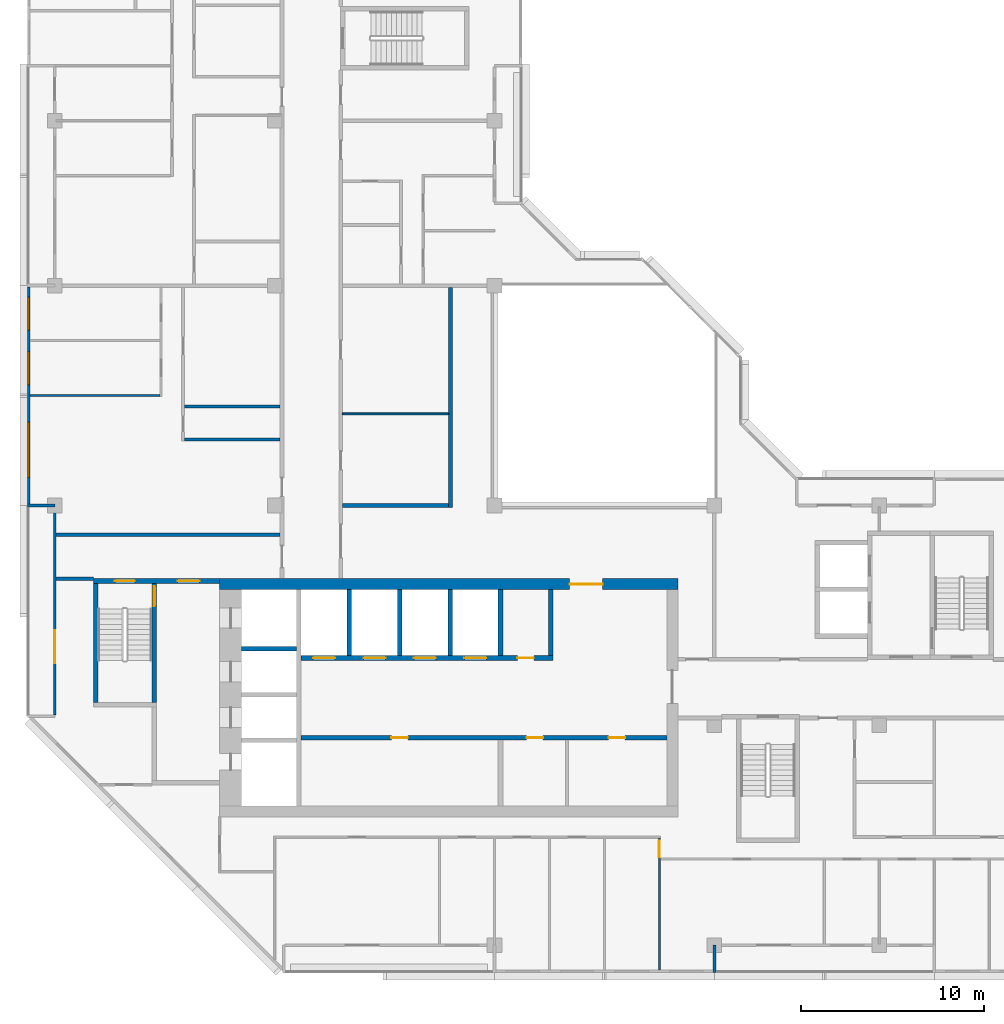
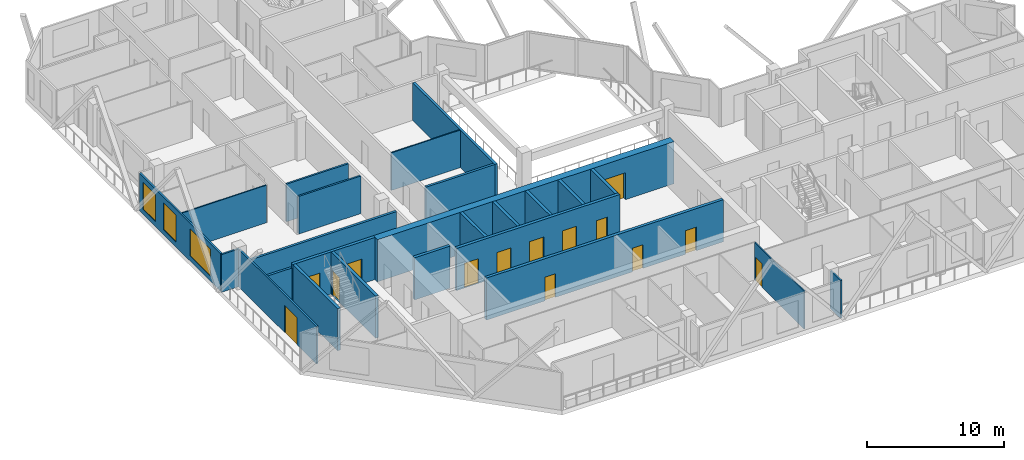
# One storey, part 5 of 13: 25 walls, 14 doors, 3 windows, 17 openings.
"""IFC4 building model written with IfcOpenShell, lengths in metres."""

from ifc_helpers import new_model, si_unit, direction, frame, frame_2d, origin, place, context, subcontext, project, spatial, rectangle, extrude, material, layer, layer_set, type_object, element, fill, save


model = new_model("IFC4")

# Units and contexts
model_context = context("Model", 3, precision=1e-05, world=origin(), true_north=direction((0.0, 1.0)))
body_context = subcontext(model_context, "Body", "Model", "MODEL_VIEW")
ifc_project = project(units=[si_unit("LENGTHUNIT", "METRE"), si_unit("AREAUNIT", "SQUARE_METRE"), si_unit("VOLUMEUNIT", "CUBIC_METRE"), si_unit("PLANEANGLEUNIT", "RADIAN"), si_unit("MASSUNIT", "GRAM", prefix="KILO")], contexts=[model_context])

# Site, building, storey
site_placement = place(None, origin())
site = spatial("IfcSite", under=ifc_project, at=site_placement, CompositionType="ELEMENT")
building_placement = place(site_placement, origin())
building = spatial("IfcBuilding", under=site, at=building_placement, Name="Chenar Terraces", CompositionType="ELEMENT")
storey_placement = place(building_placement, frame((0.0, 0.0, 280.89990234375)))
storey = spatial("IfcBuildingStorey", under=building, at=storey_placement, Name="L65", CompositionType="ELEMENT", Elevation=280.89990234375)

# Wall, openings, doors
ifc_material_1 = material(Name="Concrete C50/60", Category="concrete")
ifc_layer_1 = layer(ifc_material_1, 0.25)
ifc_layer_set_1 = layer_set([ifc_layer_1], Name="Concrete C50/60")
wall_type_1 = type_object("IfcWallType", Name="Core wall 250 Concrete C50/60", PredefinedType="SHEAR", material=ifc_layer_set_1)
wall_1_placement = place(storey_placement, frame((13.449951171875, 11.324951171875, 0.0), z_axis=(0.0, 0.0, 1.0), x_axis=(1.0, 0.0, 0.0)))
wall_1 = element("IfcWall", 1, at=wall_1_placement, inside=storey, type_object=wall_type_1, Name="Core wall SF L65", PredefinedType="SHEAR", context=body_context, shape_type="SweptSolid", body=[
    extrude(rectangle(XDim=19.949951171875, YDim=0.25, at=frame_2d((9.97509765625, 0.0))), origin(), (0.0, 0.0, 1.0), 3.75),
])
opening_1_placement = place(wall_1_placement, frame((4.925048828125, 0.0, 0.0)))
opening_1 = element("IfcOpeningElement", 2, at=opening_1_placement, cuts=wall_1, Name="Opening DL65-C12", PredefinedType="OPENING", context=body_context, shape_type="SweptSolid", body=[
    extrude(rectangle(XDim=0.89990234375, YDim=2.10009765625, at=frame_2d((0.449951171875, 1.050048828125))), frame((0.0, 0.135009765625, 0.0), z_axis=(0.0, -1.0, 0.0), x_axis=(1.0, 0.0, 0.0)), (0.0, 0.0, 1.0), 0.27001953125),
])
opening_2_placement = place(wall_1_placement, frame((12.300048828125, 0.0, 0.0)))
opening_2 = element("IfcOpeningElement", 3, at=opening_2_placement, cuts=wall_1, Name="Opening DL65-C13", PredefinedType="OPENING", context=body_context, shape_type="SweptSolid", body=[
    extrude(rectangle(XDim=0.89990234375, YDim=2.10009765625, at=frame_2d((0.449951171875, 1.050048828125))), frame((0.0, 0.135009765625, 0.0), z_axis=(0.0, -1.0, 0.0), x_axis=(1.0, 0.0, 0.0)), (0.0, 0.0, 1.0), 0.27001953125),
])
opening_3_placement = place(wall_1_placement, frame((16.77490234375, 0.0, 0.0)))
opening_3 = element("IfcOpeningElement", 4, at=opening_3_placement, cuts=wall_1, Name="Opening DL65-C14", PredefinedType="OPENING", context=body_context, shape_type="SweptSolid", body=[
    extrude(rectangle(XDim=0.89990234375, YDim=2.10009765625, at=frame_2d((0.449951171875, 1.050048828125))), frame((0.0, 0.135009765625, 0.0), z_axis=(0.0, -1.0, 0.0), x_axis=(1.0, 0.0, 0.0)), (0.0, 0.0, 1.0), 0.27001953125),
])
ifc_material_2 = material(Name="Steel-framed fire-resisting door leaf", Category="steel")
door_type_1 = type_object("IfcDoorType", Name="Riser fire door FD60 900 x 2100", OperationType="SINGLE_SWING_LEFT", PredefinedType="DOOR", material=ifc_material_2)
door_1_placement = place(opening_1_placement, frame((0.89990234375, 0.0, 0.0), z_axis=(0.0, 0.0, 1.0), x_axis=(-1.0, 0.0, 0.0)))
door_1 = element("IfcDoor", 5, at=door_1_placement, inside=storey, type_object=door_type_1, Name="Core room door DL65-C12", OperationType="SINGLE_SWING_RIGHT", OverallHeight=2.10009765625, OverallWidth=0.89990234375, PredefinedType="DOOR", context=body_context, shape_type="SweptSolid", body=[
    extrude(rectangle(XDim=0.89990234375, YDim=2.10009765625, at=frame_2d((0.449951171875, 1.050048828125))), frame((0.0, 0.02490234375, 0.0), z_axis=(0.0, -1.0, 0.0), x_axis=(1.0, 0.0, 0.0)), (0.0, 0.0, 1.0), 0.050048828125),
])
fill(opening_1, door_1)
door_2_placement = place(opening_2_placement, frame((0.89990234375, 0.0, 0.0), z_axis=(0.0, 0.0, 1.0), x_axis=(-1.0, 0.0, 0.0)))
door_2 = element("IfcDoor", 6, at=door_2_placement, inside=storey, type_object=door_type_1, Name="Core room door DL65-C13", OperationType="SINGLE_SWING_LEFT", OverallHeight=2.10009765625, OverallWidth=0.89990234375, PredefinedType="DOOR", context=body_context, shape_type="SweptSolid", body=[
    extrude(rectangle(XDim=0.89990234375, YDim=2.10009765625, at=frame_2d((0.449951171875, 1.050048828125))), frame((0.0, 0.02490234375, 0.0), z_axis=(0.0, -1.0, 0.0), x_axis=(1.0, 0.0, 0.0)), (0.0, 0.0, 1.0), 0.050048828125),
])
fill(opening_2, door_2)
door_3_placement = place(opening_3_placement, frame((0.89990234375, 0.0, 0.0), z_axis=(0.0, 0.0, 1.0), x_axis=(-1.0, 0.0, 0.0)))
door_3 = element("IfcDoor", 7, at=door_3_placement, inside=storey, type_object=door_type_1, Name="Core room door DL65-C14", OperationType="SINGLE_SWING_LEFT", OverallHeight=2.10009765625, OverallWidth=0.89990234375, PredefinedType="DOOR", context=body_context, shape_type="SweptSolid", body=[
    extrude(rectangle(XDim=0.89990234375, YDim=2.10009765625, at=frame_2d((0.449951171875, 1.050048828125))), frame((0.0, 0.02490234375, 0.0), z_axis=(0.0, -1.0, 0.0), x_axis=(1.0, 0.0, 0.0)), (0.0, 0.0, 1.0), 0.050048828125),
])
fill(opening_3, door_3)

wall_2_placement = place(storey_placement, frame((13.449951171875, 15.675048828125, 0.0), z_axis=(0.0, 0.0, 1.0), x_axis=(1.0, 0.0, 0.0)))
wall_2 = element("IfcWall", 8, at=wall_2_placement, inside=storey, type_object=wall_type_1, Name="Core wall NF L65", PredefinedType="SHEAR", context=body_context, shape_type="SweptSolid", body=[
    extrude(rectangle(XDim=13.75, YDim=0.25, at=frame_2d((6.875, 0.0))), origin(), (0.0, 0.0, 1.0), 3.75),
])
opening_4_placement = place(wall_2_placement, frame((0.64990234375, 0.0, 0.0)))
opening_4 = element("IfcOpeningElement", 9, at=opening_4_placement, cuts=wall_2, Name="Opening DL65-LD1", PredefinedType="OPENING", context=body_context, shape_type="SweptSolid", body=[
    extrude(rectangle(XDim=1.199951171875, YDim=2.199951171875, at=frame_2d((0.60009765625, 1.10009765625))), frame((0.0, 0.135009765625, 0.0), z_axis=(0.0, -1.0, 0.0), x_axis=(1.0, 0.0, 0.0)), (0.0, 0.0, 1.0), 0.27001953125),
])
opening_5_placement = place(wall_2_placement, frame((3.39990234375, 0.0, 0.0)))
opening_5 = element("IfcOpeningElement", 10, at=opening_5_placement, cuts=wall_2, Name="Opening DL65-LD2", PredefinedType="OPENING", context=body_context, shape_type="SweptSolid", body=[
    extrude(rectangle(XDim=1.199951171875, YDim=2.199951171875, at=frame_2d((0.60009765625, 1.10009765625))), frame((0.0, 0.135009765625, 0.0), z_axis=(0.0, -1.0, 0.0), x_axis=(1.0, 0.0, 0.0)), (0.0, 0.0, 1.0), 0.27001953125),
])
opening_6_placement = place(wall_2_placement, frame((6.14990234375, 0.0, 0.0)))
opening_6 = element("IfcOpeningElement", 11, at=opening_6_placement, cuts=wall_2, Name="Opening DL65-LD3", PredefinedType="OPENING", context=body_context, shape_type="SweptSolid", body=[
    extrude(rectangle(XDim=1.199951171875, YDim=2.199951171875, at=frame_2d((0.60009765625, 1.10009765625))), frame((0.0, 0.135009765625, 0.0), z_axis=(0.0, -1.0, 0.0), x_axis=(1.0, 0.0, 0.0)), (0.0, 0.0, 1.0), 0.27001953125),
])
opening_7_placement = place(wall_2_placement, frame((8.89990234375, 0.0, 0.0)))
opening_7 = element("IfcOpeningElement", 12, at=opening_7_placement, cuts=wall_2, Name="Opening DL65-LD4", PredefinedType="OPENING", context=body_context, shape_type="SweptSolid", body=[
    extrude(rectangle(XDim=1.199951171875, YDim=2.199951171875, at=frame_2d((0.60009765625, 1.10009765625))), frame((0.0, 0.135009765625, 0.0), z_axis=(0.0, -1.0, 0.0), x_axis=(1.0, 0.0, 0.0)), (0.0, 0.0, 1.0), 0.27001953125),
])
opening_8_placement = place(wall_2_placement, frame((11.800048828125, 0.0, 0.0)))
opening_8 = element("IfcOpeningElement", 13, at=opening_8_placement, cuts=wall_2, Name="Opening DL65-C15", PredefinedType="OPENING", context=body_context, shape_type="SweptSolid", body=[
    extrude(rectangle(XDim=0.89990234375, YDim=2.10009765625, at=frame_2d((0.449951171875, 1.050048828125))), frame((0.0, 0.135009765625, 0.0), z_axis=(0.0, -1.0, 0.0), x_axis=(1.0, 0.0, 0.0)), (0.0, 0.0, 1.0), 0.27001953125),
])
ifc_material_3 = material(Name="Stainless steel", Category="steel")
door_type_2 = type_object("IfcDoorType", Name="Lift landing door 1200 x 2200 sliding", OperationType="DOUBLE_DOOR_SLIDING", PredefinedType="DOOR", material=ifc_material_3)
door_4_placement = place(opening_4_placement, origin())
door_4 = element("IfcDoor", 14, at=door_4_placement, inside=storey, type_object=door_type_2, Name="Landing door H1", OperationType="DOUBLE_DOOR_SLIDING", OverallHeight=2.199951171875, OverallWidth=1.199951171875, PredefinedType="DOOR", context=body_context, shape_type="SweptSolid", body=[
    extrude(rectangle(XDim=1.199951171875, YDim=2.199951171875, at=frame_2d((0.60009765625, 1.10009765625))), frame((0.0, 0.02490234375, 0.0), z_axis=(0.0, -1.0, 0.0), x_axis=(1.0, 0.0, 0.0)), (0.0, 0.0, 1.0), 0.050048828125),
])
fill(opening_4, door_4)
door_5_placement = place(opening_5_placement, origin())
door_5 = element("IfcDoor", 15, at=door_5_placement, inside=storey, type_object=door_type_2, Name="Landing door H2", OperationType="DOUBLE_DOOR_SLIDING", OverallHeight=2.199951171875, OverallWidth=1.199951171875, PredefinedType="DOOR", context=body_context, shape_type="SweptSolid", body=[
    extrude(rectangle(XDim=1.199951171875, YDim=2.199951171875, at=frame_2d((0.60009765625, 1.10009765625))), frame((0.0, 0.02490234375, 0.0), z_axis=(0.0, -1.0, 0.0), x_axis=(1.0, 0.0, 0.0)), (0.0, 0.0, 1.0), 0.050048828125),
])
fill(opening_5, door_5)
door_6_placement = place(opening_6_placement, origin())
door_6 = element("IfcDoor", 16, at=door_6_placement, inside=storey, type_object=door_type_2, Name="Landing door H3", OperationType="DOUBLE_DOOR_SLIDING", OverallHeight=2.199951171875, OverallWidth=1.199951171875, PredefinedType="DOOR", context=body_context, shape_type="SweptSolid", body=[
    extrude(rectangle(XDim=1.199951171875, YDim=2.199951171875, at=frame_2d((0.60009765625, 1.10009765625))), frame((0.0, 0.02490234375, 0.0), z_axis=(0.0, -1.0, 0.0), x_axis=(1.0, 0.0, 0.0)), (0.0, 0.0, 1.0), 0.050048828125),
])
fill(opening_6, door_6)
door_7_placement = place(opening_7_placement, origin())
door_7 = element("IfcDoor", 17, at=door_7_placement, inside=storey, type_object=door_type_2, Name="Landing door H4", OperationType="DOUBLE_DOOR_SLIDING", OverallHeight=2.199951171875, OverallWidth=1.199951171875, PredefinedType="DOOR", context=body_context, shape_type="SweptSolid", body=[
    extrude(rectangle(XDim=1.199951171875, YDim=2.199951171875, at=frame_2d((0.60009765625, 1.10009765625))), frame((0.0, 0.02490234375, 0.0), z_axis=(0.0, -1.0, 0.0), x_axis=(1.0, 0.0, 0.0)), (0.0, 0.0, 1.0), 0.050048828125),
])
fill(opening_7, door_7)
door_8_placement = place(opening_8_placement, origin())
door_8 = element("IfcDoor", 18, at=door_8_placement, inside=storey, type_object=door_type_1, Name="Core room door DL65-C15", OperationType="SINGLE_SWING_RIGHT", OverallHeight=2.10009765625, OverallWidth=0.89990234375, PredefinedType="DOOR", context=body_context, shape_type="SweptSolid", body=[
    extrude(rectangle(XDim=0.89990234375, YDim=2.10009765625, at=frame_2d((0.449951171875, 1.050048828125))), frame((0.0, 0.02490234375, 0.0), z_axis=(0.0, -1.0, 0.0), x_axis=(1.0, 0.0, 0.0)), (0.0, 0.0, 1.0), 0.050048828125),
])
fill(opening_8, door_8)

# Walls
wall_3_placement = place(storey_placement, frame((10.199951171875, 16.175048828125, 0.0), z_axis=(0.0, 0.0, 1.0), x_axis=(1.0, 0.0, 0.0)))
element("IfcWall", 19, at=wall_3_placement, inside=storey, type_object=wall_type_1, Name="Core wall HW2 L65", PredefinedType="SHEAR", context=body_context, shape_type="SweptSolid", body=[
    extrude(rectangle(XDim=3.0, YDim=0.25, at=frame_2d((1.5, 0.0))), origin(), (0.0, 0.0, 1.0), 3.75),
])
for number, where, z_axis, x_axis, name in (
    (20, (16.074951171875, 15.800048828125, 0.0), (0.0, 0.0, 1.0), (0.0, 1.0, 0.0), "Core wall NS0 L65"),
    (21, (18.824951171875, 15.800048828125, 0.0), (0.0, 0.0, 1.0), (0.0, 1.0, 0.0), "Core wall NS1 L65"),
    (22, (21.574951171875, 15.800048828125, 0.0), (0.0, 0.0, 1.0), (0.0, 1.0, 0.0), "Core wall NS2 L65"),
    (23, (24.324951171875, 15.800048828125, 0.0), (0.0, 0.0, 1.0), (0.0, 1.0, 0.0), "Core wall NS3 L65"),
    (24, (27.074951171875, 15.800048828125, 0.0), (0.0, 0.0, 1.0), (0.0, 1.0, 0.0), "Core wall NE L65"),
):
    element("IfcWall", number, at=place(storey_placement, frame(where, z_axis=z_axis, x_axis=x_axis)), inside=storey, type_object=wall_type_1, Name=name, PredefinedType="SHEAR", context=body_context, shape_type="SweptSolid", body=[
        extrude(rectangle(XDim=3.599853515625, YDim=0.25, at=frame_2d((1.7998046875, 0.0))), origin(), (0.0, 0.0, 1.0), 3.75),
    ])

# Wall, openings, doors
wall_4_placement = place(storey_placement, frame((2.10009765625, 19.875, 0.0), z_axis=(0.0, 0.0, 1.0), x_axis=(1.0, 0.0, 0.0)))
wall_4 = element("IfcWall", 25, at=wall_4_placement, inside=storey, type_object=wall_type_1, Name="Core wall A_N L65", PredefinedType="SHEAR", context=body_context, shape_type="SweptSolid", body=[
    extrude(rectangle(XDim=6.89990234375, YDim=0.25, at=frame_2d((3.449951171875, 0.0))), origin(), (0.0, 0.0, 1.0), 3.75),
])
opening_9_placement = place(wall_4_placement, frame((1.175048828125, 0.0, 0.0)))
opening_9 = element("IfcOpeningElement", 26, at=opening_9_placement, cuts=wall_4, Name="Opening DL65-C5", PredefinedType="OPENING", context=body_context, shape_type="SweptSolid", body=[
    extrude(rectangle(XDim=1.10009765625, YDim=2.199951171875, at=frame_2d((0.550048828125, 1.10009765625))), frame((0.0, 0.135009765625, 0.0), z_axis=(0.0, -1.0, 0.0), x_axis=(1.0, 0.0, 0.0)), (0.0, 0.0, 1.0), 0.27001953125),
])
opening_10_placement = place(wall_4_placement, frame((4.60009765625, 0.0, 0.0)))
opening_10 = element("IfcOpeningElement", 27, at=opening_10_placement, cuts=wall_4, Name="Opening DL65-C6", PredefinedType="OPENING", context=body_context, shape_type="SweptSolid", body=[
    extrude(rectangle(XDim=1.199951171875, YDim=2.199951171875, at=frame_2d((0.60009765625, 1.10009765625))), frame((0.0, 0.135009765625, 0.0), z_axis=(0.0, -1.0, 0.0), x_axis=(1.0, 0.0, 0.0)), (0.0, 0.0, 1.0), 0.27001953125),
])
ifc_material_4 = material(Name="Steel-framed fire-resisting door leaf", Category="steel")
door_type_3 = type_object("IfcDoorType", Name="Lobby fire door FD60 1200 x 2200", OperationType="SINGLE_SWING_LEFT", PredefinedType="DOOR", material=ifc_material_4)
door_9_placement = place(opening_10_placement, frame((1.199951171875, 0.0, 0.0), z_axis=(0.0, 0.0, 1.0), x_axis=(-1.0, 0.0, 0.0)))
door_9 = element("IfcDoor", 28, at=door_9_placement, inside=storey, type_object=door_type_3, Name="Core door DL65-C6", OperationType="SINGLE_SWING_LEFT", OverallHeight=2.199951171875, OverallWidth=1.199951171875, PredefinedType="DOOR", context=body_context, shape_type="SweptSolid", body=[
    extrude(rectangle(XDim=1.199951171875, YDim=2.199951171875, at=frame_2d((0.60009765625, 1.10009765625))), frame((0.0, 0.02490234375, 0.0), z_axis=(0.0, -1.0, 0.0), x_axis=(1.0, 0.0, 0.0)), (0.0, 0.0, 1.0), 0.050048828125),
])
fill(opening_10, door_9)
ifc_material_5 = material(Name="Steel-framed fire-resisting door leaf", Category="steel")
door_type_4 = type_object("IfcDoorType", Name="Stair fire door FD60 1100 x 2200", OperationType="SINGLE_SWING_LEFT", PredefinedType="DOOR", material=ifc_material_5)
door_10_placement = place(opening_9_placement, origin())
door_10 = element("IfcDoor", 29, at=door_10_placement, inside=storey, type_object=door_type_4, Name="Stair door DL65-C5", OperationType="SINGLE_SWING_LEFT", OverallHeight=2.199951171875, OverallWidth=1.10009765625, PredefinedType="DOOR", context=body_context, shape_type="SweptSolid", body=[
    extrude(rectangle(XDim=1.10009765625, YDim=2.199951171875, at=frame_2d((0.550048828125, 1.10009765625))), frame((0.0, 0.02490234375, 0.0), z_axis=(0.0, -1.0, 0.0), x_axis=(1.0, 0.0, 0.0)), (0.0, 0.0, 1.0), 0.050048828125),
])
fill(opening_9, door_10)

# Wall
wall_5_placement = place(storey_placement, frame((2.22509765625, 13.25, 0.0), z_axis=(0.0, 0.0, 1.0), x_axis=(0.0, 1.0, 0.0)))
element("IfcWall", 30, at=wall_5_placement, inside=storey, type_object=wall_type_1, Name="Core wall ST1_W L65", PredefinedType="SHEAR", context=body_context, shape_type="SweptSolid", body=[
    extrude(rectangle(XDim=6.5, YDim=0.25, at=frame_2d((3.25, 0.0))), origin(), (0.0, 0.0, 1.0), 3.75),
])

# Wall, opening, door
wall_6_placement = place(storey_placement, frame((5.425048828125, 13.25, 0.0), z_axis=(0.0, 0.0, 1.0), x_axis=(0.0, 1.0, 0.0)))
wall_6 = element("IfcWall", 31, at=wall_6_placement, inside=storey, type_object=wall_type_1, Name="Core wall ST1_E L65", PredefinedType="SHEAR", context=body_context, shape_type="SweptSolid", body=[
    extrude(rectangle(XDim=6.5, YDim=0.25, at=frame_2d((3.25, 0.0))), origin(), (0.0, 0.0, 1.0), 3.75),
])
opening_11_placement = place(wall_6_placement, frame((5.25, 0.0, 0.0)))
opening_11 = element("IfcOpeningElement", 32, at=opening_11_placement, cuts=wall_6, Name="Opening DL65-C3", PredefinedType="OPENING", context=body_context, shape_type="SweptSolid", body=[
    extrude(rectangle(XDim=1.10009765625, YDim=2.199951171875, at=frame_2d((0.550048828125, 1.10009765625))), frame((0.0, 0.135009765625, 0.0), z_axis=(0.0, -1.0, 0.0), x_axis=(1.0, 0.0, 0.0)), (0.0, 0.0, 1.0), 0.27001953125),
])
door_11_placement = place(opening_11_placement, origin())
door_11 = element("IfcDoor", 33, at=door_11_placement, inside=storey, type_object=door_type_4, Name="Stair door DL65-C3", OperationType="SINGLE_SWING_RIGHT", OverallHeight=2.199951171875, OverallWidth=1.10009765625, PredefinedType="DOOR", context=body_context, shape_type="SweptSolid", body=[
    extrude(rectangle(XDim=1.10009765625, YDim=2.199951171875, at=frame_2d((0.550048828125, 1.10009765625))), frame((0.0, 0.02490234375, 0.0), z_axis=(0.0, -1.0, 0.0), x_axis=(1.0, 0.0, 0.0)), (0.0, 0.0, 1.0), 0.050048828125),
])
fill(opening_11, door_11)

ifc_material_6 = material(Name="Concrete C50/60", Category="concrete")
ifc_layer_2 = layer(ifc_material_6, 0.60009765625)
ifc_layer_set_2 = layer_set([ifc_layer_2], Name="Concrete C50/60")
wall_type_2 = type_object("IfcWallType", Name="Core wall 600 Concrete C50/60", PredefinedType="SHEAR", material=ifc_layer_set_2)
wall_7_placement = place(storey_placement, frame((9.0, 19.699951171875, 0.0), z_axis=(0.0, 0.0, 1.0), x_axis=(1.0, 0.0, 0.0)))
wall_7 = element("IfcWall", 34, at=wall_7_placement, inside=storey, type_object=wall_type_2, Name="Core wall N L65", PredefinedType="SHEAR", context=body_context, shape_type="SweptSolid", body=[
    extrude(rectangle(XDim=25.0, YDim=0.60009765625, at=frame_2d((12.5, 0.0))), origin(), (0.0, 0.0, 1.0), 3.75),
])
opening_12_placement = place(wall_7_placement, frame((19.10009765625, 0.0, 0.0)))
opening_12 = element("IfcOpeningElement", 35, at=opening_12_placement, cuts=wall_7, Name="Opening DL65-C2", PredefinedType="OPENING", context=body_context, shape_type="SweptSolid", body=[
    extrude(rectangle(XDim=1.800048828125, YDim=2.39990234375, at=frame_2d((0.89990234375, 1.199951171875))), frame((0.0, 0.31005859375, 0.0), z_axis=(0.0, -1.0, 0.0), x_axis=(1.0, 0.0, 0.0)), (0.0, 0.0, 1.0), 0.6201171875),
])
ifc_material_7 = material(Name="Steel-framed fire-resisting door leaf", Category="steel")
door_type_5 = type_object("IfcDoorType", Name="Core entrance double fire door FD60 1800 x 2400", OperationType="DOUBLE_DOOR_SINGLE_SWING", PredefinedType="DOOR", material=ifc_material_7)
door_12_placement = place(opening_12_placement, frame((1.800048828125, 0.0, 0.0), z_axis=(0.0, 0.0, 1.0), x_axis=(-1.0, 0.0, 0.0)))
door_12 = element("IfcDoor", 36, at=door_12_placement, inside=storey, type_object=door_type_5, Name="Core door DL65-C2", OperationType="DOUBLE_DOOR_SINGLE_SWING", OverallHeight=2.39990234375, OverallWidth=1.800048828125, PredefinedType="DOOR", context=body_context, shape_type="SweptSolid", body=[
    extrude(rectangle(XDim=1.800048828125, YDim=2.39990234375, at=frame_2d((0.89990234375, 1.199951171875))), frame((0.0, 0.02490234375, 0.0), z_axis=(0.0, -1.0, 0.0), x_axis=(1.0, 0.0, 0.0)), (0.0, 0.0, 1.0), 0.050048828125),
])
fill(opening_12, door_12)

# Walls
ifc_material_8 = material(Name="Gypsum board on steel studs with fire boards", Category="steel")
ifc_layer_3 = layer(ifc_material_8, 0.199951171875)
ifc_layer_set_3 = layer_set([ifc_layer_3], Name="Gypsum board on steel studs with fire boards")
wall_type_3 = type_object("IfcWallType", Name="Corridor wall 200", PredefinedType="PARTITIONING", material=ifc_layer_set_3)
wall_8_placement = place(storey_placement, frame((0.073974609375, 20.0, 0.0), z_axis=(0.0, 0.0, 1.0), x_axis=(1.0, 0.0, 0.0)))
element("IfcWall", 37, at=wall_8_placement, inside=storey, type_object=wall_type_3, Name="Partition L65-006", PredefinedType="PARTITIONING", context=body_context, shape_type="SweptSolid", body=[
    extrude(rectangle(XDim=2.026123046875, YDim=0.199951171875, at=frame_2d((1.01318359375, 0.0))), origin(), (0.0, 0.0, 1.0), 3.35009765625),
])
wall_9_placement = place(storey_placement, frame((0.073974609375, 22.39990234375, 0.0), z_axis=(0.0, 0.0, 1.0), x_axis=(1.0, 0.0, 0.0)))
element("IfcWall", 38, at=wall_9_placement, inside=storey, type_object=wall_type_3, Name="Partition L65-007", PredefinedType="PARTITIONING", context=body_context, shape_type="SweptSolid", body=[
    extrude(rectangle(XDim=12.22607421875, YDim=0.199951171875, at=frame_2d((6.113037109375, 0.0))), origin(), (0.0, 0.0, 1.0), 3.35009765625),
])
wall_10_placement = place(storey_placement, frame((15.699951171875, 24.0, 0.0), z_axis=(0.0, 0.0, 1.0), x_axis=(1.0, 0.0, 0.0)))
element("IfcWall", 39, at=wall_10_placement, inside=storey, type_object=wall_type_3, Name="Partition L65-031", PredefinedType="PARTITIONING", context=body_context, shape_type="SweptSolid", body=[
    extrude(rectangle(XDim=5.800048828125, YDim=0.199951171875, at=frame_2d((2.89990234375, 0.0))), origin(), (0.0, 0.0, 1.0), 3.35009765625),
])
wall_11_placement = place(storey_placement, frame((21.60009765625, 23.89990234375, 0.0), z_axis=(0.0, 0.0, 1.0), x_axis=(0.0, 1.0, 0.0)))
element("IfcWall", 40, at=wall_11_placement, inside=storey, type_object=wall_type_3, Name="Partition L65-042", PredefinedType="PARTITIONING", context=body_context, shape_type="SweptSolid", body=[
    extrude(rectangle(XDim=12.0, YDim=0.199951171875, at=frame_2d((6.0, 0.0))), origin(), (0.0, 0.0, 1.0), 3.35009765625),
])

# Wall, openings, windows
ifc_material_9 = material(Name="Aluminium framed glazing", Category="aluminium")
ifc_layer_4 = layer(ifc_material_9, 0.14990234375)
ifc_layer_set_4 = layer_set([ifc_layer_4], Name="Aluminium framed glazing")
wall_type_4 = type_object("IfcWallType", Name="Glazed flush facade wall 150", PredefinedType="SOLIDWALL", material=ifc_layer_set_4)
wall_12_placement = place(storey_placement, frame((-1.425048828125, 35.925048828125, 0.0), z_axis=(0.0, 0.0, 1.0), x_axis=(0.0, -1.0, 0.0)))
wall_12 = element("IfcWall", 41, at=wall_12_placement, inside=storey, type_object=wall_type_4, Name="Glazed flush facade wall", PredefinedType="SOLIDWALL", context=body_context, shape_type="SweptSolid", body=[
    extrude(rectangle(XDim=11.85009765625, YDim=0.14990234375, at=frame_2d((5.925048828125, 0.0))), origin(), (0.0, 0.0, 1.0), 3.35009765625),
])
opening_13_placement = place(wall_12_placement, frame((0.5625, 0.0, 0.449951171875)))
opening_13 = element("IfcOpeningElement", 42, at=opening_13_placement, cuts=wall_12, Name="Opening W180x240", PredefinedType="OPENING", context=body_context, shape_type="SweptSolid", body=[
    extrude(rectangle(XDim=1.800048828125, YDim=2.39990234375, at=frame_2d((0.89990234375, 1.199951171875))), frame((0.0, 0.0849609375, 0.0), z_axis=(0.0, -1.0, 0.0), x_axis=(1.0, 0.0, 0.0)), (0.0, 0.0, 1.0), 0.169921875),
])
opening_14_placement = place(wall_12_placement, frame((3.52490234375, 0.0, 0.449951171875)))
opening_14 = element("IfcOpeningElement", 43, at=opening_14_placement, cuts=wall_12, Name="Opening W180x240", PredefinedType="OPENING", context=body_context, shape_type="SweptSolid", body=[
    extrude(rectangle(XDim=1.800048828125, YDim=2.39990234375, at=frame_2d((0.89990234375, 1.199951171875))), frame((0.0, 0.0849609375, 0.0), z_axis=(0.0, -1.0, 0.0), x_axis=(1.0, 0.0, 0.0)), (0.0, 0.0, 1.0), 0.169921875),
])
opening_15_placement = place(wall_12_placement, frame((7.387451171875, 0.0, 0.449951171875)))
opening_15 = element("IfcOpeningElement", 44, at=opening_15_placement, cuts=wall_12, Name="Opening W300x240", PredefinedType="OPENING", context=body_context, shape_type="SweptSolid", body=[
    extrude(rectangle(XDim=3.0, YDim=2.39990234375, at=frame_2d((1.5, 1.199951171875))), frame((0.0, 0.0849609375, 0.0), z_axis=(0.0, -1.0, 0.0), x_axis=(1.0, 0.0, 0.0)), (0.0, 0.0, 1.0), 0.169921875),
])
ifc_material_10 = material(Name="Low emissivity double glazing, aluminium frame", Category="aluminium")
window_type_1 = type_object("IfcWindowType", Name="Fixed light 1800 x 2400", PartitioningType="SINGLE_PANEL", PredefinedType="WINDOW", material=ifc_material_10)
window_1_placement = place(opening_13_placement, origin())
window_1 = element("IfcWindow", 45, at=window_1_placement, inside=storey, type_object=window_type_1, Name="Window", OverallHeight=2.39990234375, OverallWidth=1.800048828125, PartitioningType="SINGLE_PANEL", PredefinedType="WINDOW", context=body_context, shape_type="SweptSolid", body=[
    extrude(rectangle(XDim=1.800048828125, YDim=2.39990234375, at=frame_2d((0.89990234375, 1.199951171875))), frame((0.0, 0.030029296875, 0.0), z_axis=(0.0, -1.0, 0.0), x_axis=(1.0, 0.0, 0.0)), (0.0, 0.0, 1.0), 0.06005859375),
])
fill(opening_13, window_1)
window_2_placement = place(opening_14_placement, origin())
window_2 = element("IfcWindow", 46, at=window_2_placement, inside=storey, type_object=window_type_1, Name="Window", OverallHeight=2.39990234375, OverallWidth=1.800048828125, PartitioningType="SINGLE_PANEL", PredefinedType="WINDOW", context=body_context, shape_type="SweptSolid", body=[
    extrude(rectangle(XDim=1.800048828125, YDim=2.39990234375, at=frame_2d((0.89990234375, 1.199951171875))), frame((0.0, 0.030029296875, 0.0), z_axis=(0.0, -1.0, 0.0), x_axis=(1.0, 0.0, 0.0)), (0.0, 0.0, 1.0), 0.06005859375),
])
fill(opening_14, window_2)
ifc_material_11 = material(Name="Low emissivity double glazing, aluminium frame", Category="aluminium")
window_type_2 = type_object("IfcWindowType", Name="Fixed light 3000 x 2400", PartitioningType="SINGLE_PANEL", PredefinedType="WINDOW", material=ifc_material_11)
window_3_placement = place(opening_15_placement, origin())
window_3 = element("IfcWindow", 47, at=window_3_placement, inside=storey, type_object=window_type_2, Name="Window", OverallHeight=2.39990234375, OverallWidth=3.0, PartitioningType="SINGLE_PANEL", PredefinedType="WINDOW", context=body_context, shape_type="SweptSolid", body=[
    extrude(rectangle(XDim=3.0, YDim=2.39990234375, at=frame_2d((1.5, 1.199951171875))), frame((0.0, 0.030029296875, 0.0), z_axis=(0.0, -1.0, 0.0), x_axis=(1.0, 0.0, 0.0)), (0.0, 0.0, 1.0), 0.06005859375),
])
fill(opening_15, window_3)

# Wall, opening, door
ifc_material_12 = material(Name="Aluminium framed glazing", Category="aluminium")
ifc_layer_5 = layer(ifc_material_12, 0.14990234375)
ifc_layer_set_5 = layer_set([ifc_layer_5], Name="Aluminium framed glazing")
wall_type_5 = type_object("IfcWallType", Name="Glazed loggia back wall 150", PredefinedType="SOLIDWALL", material=ifc_layer_set_5)
wall_13_placement = place(storey_placement, frame((0.0, 23.925048828125, 0.0), z_axis=(0.0, 0.0, 1.0), x_axis=(0.0, -1.0, 0.0)))
wall_13 = element("IfcWall", 48, at=wall_13_placement, inside=storey, type_object=wall_type_5, Name="Glazed loggia back wall", PredefinedType="SOLIDWALL", context=body_context, shape_type="SweptSolid", body=[
    extrude(rectangle(XDim=11.35009765625, YDim=0.14990234375, at=frame_2d((5.675048828125, 0.0))), origin(), (0.0, 0.0, 1.0), 3.35009765625),
])
opening_16_placement = place(wall_13_placement, frame((6.737548828125, 0.0, 0.0)))
opening_16 = element("IfcOpeningElement", 49, at=opening_16_placement, cuts=wall_13, Name="Opening DL65-G4", PredefinedType="OPENING", context=body_context, shape_type="SweptSolid", body=[
    extrude(rectangle(XDim=1.800048828125, YDim=2.39990234375, at=frame_2d((0.89990234375, 1.199951171875))), frame((0.0, 0.0849609375, 0.0), z_axis=(0.0, -1.0, 0.0), x_axis=(1.0, 0.0, 0.0)), (0.0, 0.0, 1.0), 0.169921875),
])
ifc_material_13 = material(Name="Low emissivity double glazing, aluminium frame", Category="aluminium")
door_type_6 = type_object("IfcDoorType", Name="Loggia glazed double door 1800 x 2400", OperationType="DOUBLE_DOOR_SINGLE_SWING", PredefinedType="DOOR", material=ifc_material_13)
door_13_placement = place(opening_16_placement, frame((1.800048828125, 0.0, 0.0), z_axis=(0.0, 0.0, 1.0), x_axis=(-1.0, 0.0, 0.0)))
door_13 = element("IfcDoor", 50, at=door_13_placement, inside=storey, type_object=door_type_6, Name="Loggia glazed door", OperationType="DOUBLE_DOOR_SINGLE_SWING", OverallHeight=2.39990234375, OverallWidth=1.800048828125, PredefinedType="DOOR", context=body_context, shape_type="SweptSolid", body=[
    extrude(rectangle(XDim=1.800048828125, YDim=2.39990234375, at=frame_2d((0.89990234375, 1.199951171875))), frame((0.0, 0.02490234375, 0.0), z_axis=(0.0, -1.0, 0.0), x_axis=(1.0, 0.0, 0.0)), (0.0, 0.0, 1.0), 0.050048828125),
])
fill(opening_16, door_13)

# Walls
ifc_material_14 = material(Name="Gypsum board on steel studs", Category="steel")
ifc_layer_6 = layer(ifc_material_14, 0.10009765625)
ifc_layer_set_6 = layer_set([ifc_layer_6], Name="Gypsum board on steel studs")
wall_type_6 = type_object("IfcWallType", Name="Gypsum partition 100", PredefinedType="PARTITIONING", material=ifc_layer_set_6)
wall_14_placement = place(storey_placement, frame((-1.35009765625, 30.0, 0.0), z_axis=(0.0, 0.0, 1.0), x_axis=(1.0, 0.0, 0.0)))
element("IfcWall", 51, at=wall_14_placement, inside=storey, type_object=wall_type_6, Name="Partition L65-003", PredefinedType="PARTITIONING", context=body_context, shape_type="SweptSolid", body=[
    extrude(rectangle(XDim=7.10009765625, YDim=0.10009765625, at=frame_2d((3.550048828125, 0.0))), origin(), (0.0, 0.0, 1.0), 3.35009765625),
])
wall_15_placement = place(storey_placement, frame((15.699951171875, 29.0, 0.0), z_axis=(0.0, 0.0, 1.0), x_axis=(1.0, 0.0, 0.0)))
element("IfcWall", 52, at=wall_15_placement, inside=storey, type_object=wall_type_6, Name="Partition L65-032", PredefinedType="PARTITIONING", context=body_context, shape_type="SweptSolid", body=[
    extrude(rectangle(XDim=5.800048828125, YDim=0.10009765625, at=frame_2d((2.89990234375, 0.0))), origin(), (0.0, 0.0, 1.0), 3.35009765625),
])

# Wall, opening, door
wall_16_placement = place(storey_placement, frame((33.0, -1.35009765625, 0.0), z_axis=(0.0, 0.0, 1.0), x_axis=(0.0, 1.0, 0.0)))
wall_16 = element("IfcWall", 53, at=wall_16_placement, inside=storey, type_object=wall_type_6, Name="Partition L65-046", PredefinedType="PARTITIONING", context=body_context, shape_type="SweptSolid", body=[
    extrude(rectangle(XDim=7.2001953125, YDim=0.10009765625, at=frame_2d((3.60009765625, 0.0))), origin(), (0.0, 0.0, 1.0), 3.35009765625),
])
opening_17_placement = place(wall_16_placement, frame((6.14990234375, 0.0, 0.0)))
opening_17 = element("IfcOpeningElement", 54, at=opening_17_placement, cuts=wall_16, Name="Opening DL65-37", PredefinedType="OPENING", context=body_context, shape_type="SweptSolid", body=[
    extrude(rectangle(XDim=0.89990234375, YDim=2.10009765625, at=frame_2d((0.449951171875, 1.050048828125))), frame((0.0, 0.06005859375, 0.0), z_axis=(0.0, -1.0, 0.0), x_axis=(1.0, 0.0, 0.0)), (0.0, 0.0, 1.0), 0.1201171875),
])
ifc_material_15 = material(Name="Veneered timber door leaf", Category="wood")
door_type_7 = type_object("IfcDoorType", Name="Door 900 x 2100", OperationType="SINGLE_SWING_LEFT", PredefinedType="DOOR", material=ifc_material_15)
door_14_placement = place(opening_17_placement, origin())
door_14 = element("IfcDoor", 55, at=door_14_placement, inside=storey, type_object=door_type_7, Name="Door DL65-37", OperationType="SINGLE_SWING_RIGHT", OverallHeight=2.10009765625, OverallWidth=0.89990234375, PredefinedType="DOOR", context=body_context, shape_type="SweptSolid", body=[
    extrude(rectangle(XDim=0.89990234375, YDim=2.10009765625, at=frame_2d((0.449951171875, 1.050048828125))), frame((0.0, 0.02490234375, 0.0), z_axis=(0.0, -1.0, 0.0), x_axis=(1.0, 0.0, 0.0)), (0.0, 0.0, 1.0), 0.050048828125),
])
fill(opening_17, door_14)

# Walls
ifc_material_16 = material(Name="Terracotta cladding on insulated backing", Category="masonry")
ifc_layer_7 = layer(ifc_material_16, 0.14990234375)
ifc_layer_set_7 = layer_set([ifc_layer_7], Name="Terracotta cladding on insulated backing")
wall_type_7 = type_object("IfcWallType", Name="Loggia return wall 150", PredefinedType="SOLIDWALL", material=ifc_layer_set_7)
for number, where, z_axis, x_axis, name in (
    (56, (-1.5, 24.0, 0.0), (0.0, 0.0, 1.0), (1.0, 0.0, 0.0), "Loggia return wall"),
    (57, (36.0, -1.5, 0.0), (0.0, 0.0, 1.0), (0.0, 1.0, 0.0), "Loggia return wall"),
):
    element("IfcWall", number, at=place(storey_placement, frame(where, z_axis=z_axis, x_axis=x_axis)), inside=storey, type_object=wall_type_7, Name=name, PredefinedType="SOLIDWALL", context=body_context, shape_type="SweptSolid", body=[
        extrude(rectangle(XDim=1.5, YDim=0.14990234375, at=frame_2d((0.75, 0.0))), origin(), (0.0, 0.0, 1.0), 3.35009765625),
    ])
ifc_material_17 = material(Name="Moisture-resistant gypsum board on steel studs", Category="steel")
ifc_layer_8 = layer(ifc_material_17, 0.14990234375)
ifc_layer_set_8 = layer_set([ifc_layer_8], Name="Moisture-resistant gypsum board on steel studs")
wall_type_8 = type_object("IfcWallType", Name="Wet-room partition 150", PredefinedType="PARTITIONING", material=ifc_layer_set_8)
for number, where, z_axis, x_axis, name in (
    (58, (7.074951171875, 27.60009765625, 0.0), (0.0, 0.0, 1.0), (1.0, 0.0, 0.0), "Partition L65-016"),
    (59, (7.074951171875, 29.39990234375, 0.0), (0.0, 0.0, 1.0), (1.0, 0.0, 0.0), "Partition L65-017"),
):
    element("IfcWall", number, at=place(storey_placement, frame(where, z_axis=z_axis, x_axis=x_axis)), inside=storey, type_object=wall_type_8, Name=name, PredefinedType="PARTITIONING", context=body_context, shape_type="SweptSolid", body=[
        extrude(rectangle(XDim=5.22509765625, YDim=0.14990234375, at=frame_2d((2.612548828125, 0.0))), origin(), (0.0, 0.0, 1.0), 3.35009765625),
    ])

save(model, "model.ifc")
